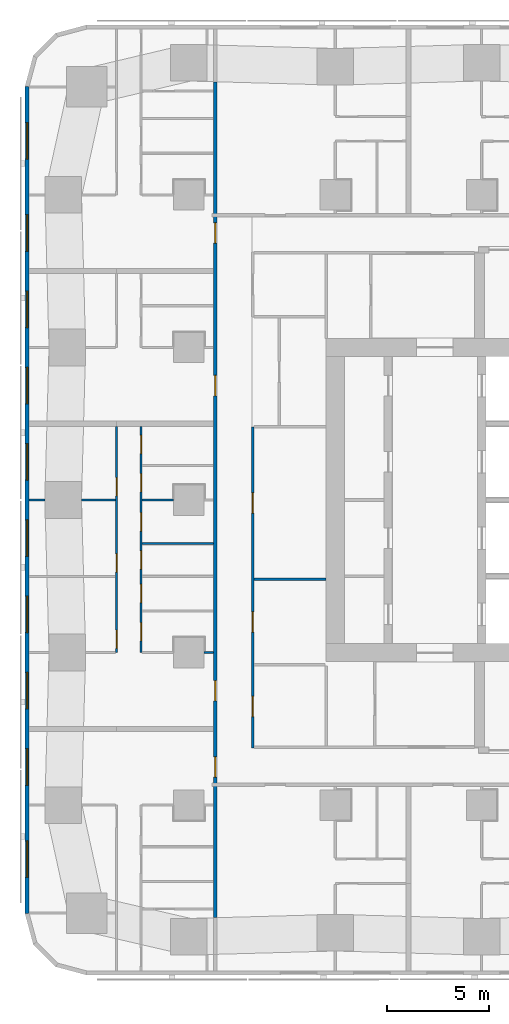
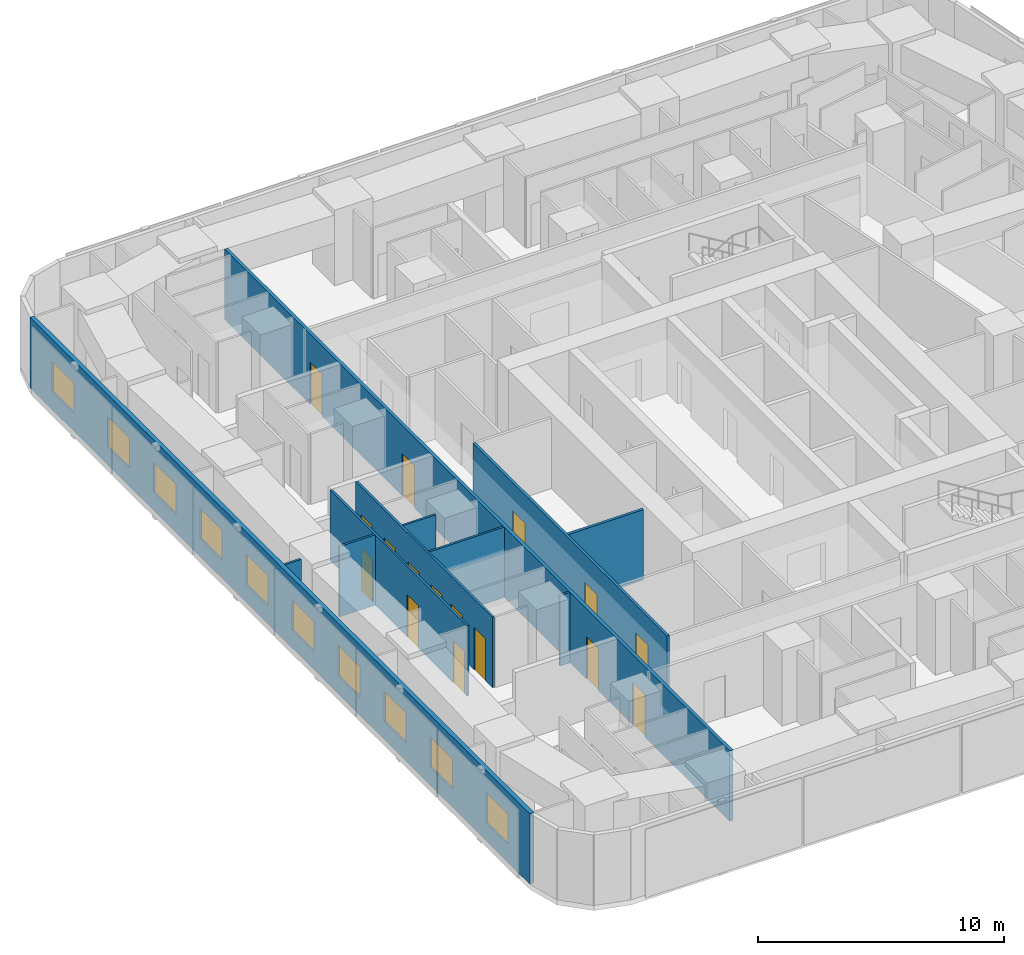
# One storey, part 5 of 15: 16 doors, 11 walls, 10 windows, 26 openings.
"""IFC4 building model written with IfcOpenShell, lengths in metres."""

from ifc_helpers import new_model, si_unit, direction, frame, frame_2d, origin, place, context, subcontext, project, spatial, rectangle, extrude, material, layer, layer_set, type_object, element, fill, save


model = new_model("IFC4")

# Units and contexts
model_context = context("Model", 3, precision=1e-05, world=origin(), true_north=direction((0.0, 1.0)))
body_context = subcontext(model_context, "Body", "Model", "MODEL_VIEW")
ifc_project = project(units=[si_unit("LENGTHUNIT", "METRE"), si_unit("AREAUNIT", "SQUARE_METRE"), si_unit("VOLUMEUNIT", "CUBIC_METRE"), si_unit("PLANEANGLEUNIT", "RADIAN"), si_unit("MASSUNIT", "GRAM", prefix="KILO")], contexts=[model_context])

# Site, building, storey
site_placement = place(None, origin())
site = spatial("IfcSite", under=ifc_project, at=site_placement, CompositionType="ELEMENT")
building_placement = place(site_placement, origin())
building = spatial("IfcBuilding", under=site, at=building_placement, Name="Sheger Commons Tower", CompositionType="ELEMENT")
storey_placement = place(building_placement, frame((0.0, 0.0, 143.300048828125)))
storey = spatial("IfcBuildingStorey", under=building, at=storey_placement, Name="L36", CompositionType="ELEMENT", Elevation=143.300048828125)

# Wall, openings, doors
ifc_material_1 = material(Name="Hollow concrete block masonry, skimmed both sides", Category="masonry")
ifc_layer_1 = layer(ifc_material_1, 0.14990234375)
ifc_layer_set_1 = layer_set([ifc_layer_1], Name="CORRIDOR WALL 150")
wall_type_1 = type_object("IfcWallType", Name="CORRIDOR WALL 150", PredefinedType="SOLIDWALL", material=ifc_layer_set_1)
wall_1_placement = place(storey_placement, frame((8.5, 1.964111328125, 0.0), z_axis=(0.0, 0.0, 1.0), x_axis=(0.0, 1.0, 0.0)))
wall_1 = element("IfcWall", 1, at=wall_1_placement, inside=storey, type_object=wall_type_1, Name="Corridor wall L36", PredefinedType="SOLIDWALL", context=body_context, shape_type="SweptSolid", body=[
    extrude(rectangle(XDim=41.096923828125, YDim=0.14990234375, at=frame_2d((20.54833984375, 0.0))), origin(), (0.0, 0.0, 1.0), 3.5),
])
opening_1_placement = place(wall_1_placement, frame((6.910888671875, 0.0, 0.0)))
opening_1 = element("IfcOpeningElement", 2, at=opening_1_placement, cuts=wall_1, Name="Opening D1", PredefinedType="OPENING", context=body_context, shape_type="SweptSolid", body=[
    extrude(rectangle(XDim=1.0, YDim=2.10009765625, at=frame_2d((0.5, 1.050048828125))), frame((0.0, 0.0849609375, 0.0), z_axis=(0.0, -1.0, 0.0), x_axis=(1.0, 0.0, 0.0)), (0.0, 0.0, 1.0), 0.169921875),
])
opening_2_placement = place(wall_1_placement, frame((10.660888671875, 0.0, 0.0)))
opening_2 = element("IfcOpeningElement", 3, at=opening_2_placement, cuts=wall_1, Name="Opening D1", PredefinedType="OPENING", context=body_context, shape_type="SweptSolid", body=[
    extrude(rectangle(XDim=1.0, YDim=2.10009765625, at=frame_2d((0.5, 1.050048828125))), frame((0.0, 0.0849609375, 0.0), z_axis=(0.0, -1.0, 0.0), x_axis=(1.0, 0.0, 0.0)), (0.0, 0.0, 1.0), 0.169921875),
])
opening_3_placement = place(wall_1_placement, frame((25.660888671875, 0.0, 0.0)))
opening_3 = element("IfcOpeningElement", 4, at=opening_3_placement, cuts=wall_1, Name="Opening D1", PredefinedType="OPENING", context=body_context, shape_type="SweptSolid", body=[
    extrude(rectangle(XDim=1.0, YDim=2.10009765625, at=frame_2d((0.5, 1.050048828125))), frame((0.0, 0.0849609375, 0.0), z_axis=(0.0, -1.0, 0.0), x_axis=(1.0, 0.0, 0.0)), (0.0, 0.0, 1.0), 0.169921875),
])
opening_4_placement = place(wall_1_placement, frame((33.160888671875, 0.0, 0.0)))
opening_4 = element("IfcOpeningElement", 5, at=opening_4_placement, cuts=wall_1, Name="Opening D1", PredefinedType="OPENING", context=body_context, shape_type="SweptSolid", body=[
    extrude(rectangle(XDim=1.0, YDim=2.10009765625, at=frame_2d((0.5, 1.050048828125))), frame((0.0, 0.0849609375, 0.0), z_axis=(0.0, -1.0, 0.0), x_axis=(1.0, 0.0, 0.0)), (0.0, 0.0, 1.0), 0.169921875),
])
ifc_material_2 = material(Name="Steel door set, fire rated", Category="steel")
door_type_1 = type_object("IfcDoorType", Name="FLAT ENTRANCE DOOR 1000x2100", OperationType="NOTDEFINED", PredefinedType="DOOR", material=ifc_material_2)
door_1_placement = place(opening_1_placement, origin())
door_1 = element("IfcDoor", 6, at=door_1_placement, inside=storey, type_object=door_type_1, Name="Flat entrance door", OperationType="SINGLE_SWING_LEFT", OverallHeight=2.10009765625, OverallWidth=1.0, PredefinedType="DOOR", context=body_context, shape_type="SweptSolid", body=[
    extrude(rectangle(XDim=1.0, YDim=2.10009765625, at=frame_2d((0.5, 1.050048828125))), frame((0.0, 0.02490234375, 0.0), z_axis=(0.0, -1.0, 0.0), x_axis=(1.0, 0.0, 0.0)), (0.0, 0.0, 1.0), 0.050048828125),
])
fill(opening_1, door_1)
door_2_placement = place(opening_2_placement, origin())
door_2 = element("IfcDoor", 7, at=door_2_placement, inside=storey, type_object=door_type_1, Name="Flat entrance door", OperationType="SINGLE_SWING_RIGHT", OverallHeight=2.10009765625, OverallWidth=1.0, PredefinedType="DOOR", context=body_context, shape_type="SweptSolid", body=[
    extrude(rectangle(XDim=1.0, YDim=2.10009765625, at=frame_2d((0.5, 1.050048828125))), frame((0.0, 0.02490234375, 0.0), z_axis=(0.0, -1.0, 0.0), x_axis=(1.0, 0.0, 0.0)), (0.0, 0.0, 1.0), 0.050048828125),
])
fill(opening_2, door_2)
door_3_placement = place(opening_3_placement, origin())
door_3 = element("IfcDoor", 8, at=door_3_placement, inside=storey, type_object=door_type_1, Name="Flat entrance door", OperationType="SINGLE_SWING_LEFT", OverallHeight=2.10009765625, OverallWidth=1.0, PredefinedType="DOOR", context=body_context, shape_type="SweptSolid", body=[
    extrude(rectangle(XDim=1.0, YDim=2.10009765625, at=frame_2d((0.5, 1.050048828125))), frame((0.0, 0.02490234375, 0.0), z_axis=(0.0, -1.0, 0.0), x_axis=(1.0, 0.0, 0.0)), (0.0, 0.0, 1.0), 0.050048828125),
])
fill(opening_3, door_3)
door_4_placement = place(opening_4_placement, origin())
door_4 = element("IfcDoor", 9, at=door_4_placement, inside=storey, type_object=door_type_1, Name="Flat entrance door", OperationType="SINGLE_SWING_RIGHT", OverallHeight=2.10009765625, OverallWidth=1.0, PredefinedType="DOOR", context=body_context, shape_type="SweptSolid", body=[
    extrude(rectangle(XDim=1.0, YDim=2.10009765625, at=frame_2d((0.5, 1.050048828125))), frame((0.0, 0.02490234375, 0.0), z_axis=(0.0, -1.0, 0.0), x_axis=(1.0, 0.0, 0.0)), (0.0, 0.0, 1.0), 0.050048828125),
])
fill(opening_4, door_4)

# Wall, openings, windows
ifc_material_3 = material(Name="Rendered concrete block masonry, dark grey", Category="masonry")
ifc_layer_2 = layer(ifc_material_3, 0.199951171875)
ifc_layer_set_2 = layer_set([ifc_layer_2], Name="FACADE WALL 200")
wall_type_2 = type_object("IfcWallType", Name="FACADE WALL 200", PredefinedType="SOLIDWALL", material=ifc_layer_set_2)
wall_2_placement = place(storey_placement, frame((-0.75, 42.8369140625, 0.0), z_axis=(0.0, 0.0, 1.0), x_axis=(0.0, -1.0, 0.0)))
wall_2 = element("IfcWall", 10, at=wall_2_placement, inside=storey, type_object=wall_type_2, Name="Facade wall L36", PredefinedType="SOLIDWALL", context=body_context, shape_type="SweptSolid", body=[
    extrude(rectangle(XDim=40.673828125, YDim=0.199951171875, at=frame_2d((20.3369140625, 0.0))), origin(), (0.0, 0.0, 1.0), 3.5),
])
opening_5_placement = place(wall_2_placement, frame((1.780029296875, 0.0, 0.89990234375)))
opening_5 = element("IfcOpeningElement", 11, at=opening_5_placement, cuts=wall_2, Name="Opening W2", PredefinedType="OPENING", context=body_context, shape_type="SweptSolid", body=[
    extrude(rectangle(XDim=1.800048828125, YDim=1.5, at=frame_2d((0.89990234375, 0.75))), frame((0.0, 0.10986328125, 0.0), z_axis=(0.0, -1.0, 0.0), x_axis=(1.0, 0.0, 0.0)), (0.0, 0.0, 1.0), 0.219970703125),
])
opening_6_placement = place(wall_2_placement, frame((6.31201171875, 0.0, 0.89990234375)))
opening_6 = element("IfcOpeningElement", 12, at=opening_6_placement, cuts=wall_2, Name="Opening W2", PredefinedType="OPENING", context=body_context, shape_type="SweptSolid", body=[
    extrude(rectangle(XDim=1.800048828125, YDim=1.5, at=frame_2d((0.89990234375, 0.75))), frame((0.0, 0.10986328125, 0.0), z_axis=(0.0, -1.0, 0.0), x_axis=(1.0, 0.0, 0.0)), (0.0, 0.0, 1.0), 0.219970703125),
])
opening_7_placement = place(wall_2_placement, frame((10.06201171875, 0.0, 0.89990234375)))
opening_7 = element("IfcOpeningElement", 13, at=opening_7_placement, cuts=wall_2, Name="Opening W2", PredefinedType="OPENING", context=body_context, shape_type="SweptSolid", body=[
    extrude(rectangle(XDim=1.800048828125, YDim=1.5, at=frame_2d((0.89990234375, 0.75))), frame((0.0, 0.10986328125, 0.0), z_axis=(0.0, -1.0, 0.0), x_axis=(1.0, 0.0, 0.0)), (0.0, 0.0, 1.0), 0.219970703125),
])
opening_8_placement = place(wall_2_placement, frame((13.81201171875, 0.0, 0.89990234375)))
opening_8 = element("IfcOpeningElement", 14, at=opening_8_placement, cuts=wall_2, Name="Opening W2", PredefinedType="OPENING", context=body_context, shape_type="SweptSolid", body=[
    extrude(rectangle(XDim=1.800048828125, YDim=1.5, at=frame_2d((0.89990234375, 0.75))), frame((0.0, 0.10986328125, 0.0), z_axis=(0.0, -1.0, 0.0), x_axis=(1.0, 0.0, 0.0)), (0.0, 0.0, 1.0), 0.219970703125),
])
opening_9_placement = place(wall_2_placement, frame((17.56201171875, 0.0, 0.89990234375)))
opening_9 = element("IfcOpeningElement", 15, at=opening_9_placement, cuts=wall_2, Name="Opening W2", PredefinedType="OPENING", context=body_context, shape_type="SweptSolid", body=[
    extrude(rectangle(XDim=1.800048828125, YDim=1.5, at=frame_2d((0.89990234375, 0.75))), frame((0.0, 0.10986328125, 0.0), z_axis=(0.0, -1.0, 0.0), x_axis=(1.0, 0.0, 0.0)), (0.0, 0.0, 1.0), 0.219970703125),
])
opening_10_placement = place(wall_2_placement, frame((21.31201171875, 0.0, 0.89990234375)))
opening_10 = element("IfcOpeningElement", 16, at=opening_10_placement, cuts=wall_2, Name="Opening W2", PredefinedType="OPENING", context=body_context, shape_type="SweptSolid", body=[
    extrude(rectangle(XDim=1.800048828125, YDim=1.5, at=frame_2d((0.89990234375, 0.75))), frame((0.0, 0.10986328125, 0.0), z_axis=(0.0, -1.0, 0.0), x_axis=(1.0, 0.0, 0.0)), (0.0, 0.0, 1.0), 0.219970703125),
])
opening_11_placement = place(wall_2_placement, frame((25.06201171875, 0.0, 0.89990234375)))
opening_11 = element("IfcOpeningElement", 17, at=opening_11_placement, cuts=wall_2, Name="Opening W2", PredefinedType="OPENING", context=body_context, shape_type="SweptSolid", body=[
    extrude(rectangle(XDim=1.800048828125, YDim=1.5, at=frame_2d((0.89990234375, 0.75))), frame((0.0, 0.10986328125, 0.0), z_axis=(0.0, -1.0, 0.0), x_axis=(1.0, 0.0, 0.0)), (0.0, 0.0, 1.0), 0.219970703125),
])
opening_12_placement = place(wall_2_placement, frame((28.81201171875, 0.0, 0.89990234375)))
opening_12 = element("IfcOpeningElement", 18, at=opening_12_placement, cuts=wall_2, Name="Opening W2", PredefinedType="OPENING", context=body_context, shape_type="SweptSolid", body=[
    extrude(rectangle(XDim=1.800048828125, YDim=1.5, at=frame_2d((0.89990234375, 0.75))), frame((0.0, 0.10986328125, 0.0), z_axis=(0.0, -1.0, 0.0), x_axis=(1.0, 0.0, 0.0)), (0.0, 0.0, 1.0), 0.219970703125),
])
opening_13_placement = place(wall_2_placement, frame((32.56201171875, 0.0, 0.89990234375)))
opening_13 = element("IfcOpeningElement", 19, at=opening_13_placement, cuts=wall_2, Name="Opening W2", PredefinedType="OPENING", context=body_context, shape_type="SweptSolid", body=[
    extrude(rectangle(XDim=1.800048828125, YDim=1.5, at=frame_2d((0.89990234375, 0.75))), frame((0.0, 0.10986328125, 0.0), z_axis=(0.0, -1.0, 0.0), x_axis=(1.0, 0.0, 0.0)), (0.0, 0.0, 1.0), 0.219970703125),
])
opening_14_placement = place(wall_2_placement, frame((37.093994140625, 0.0, 0.89990234375)))
opening_14 = element("IfcOpeningElement", 20, at=opening_14_placement, cuts=wall_2, Name="Opening W2", PredefinedType="OPENING", context=body_context, shape_type="SweptSolid", body=[
    extrude(rectangle(XDim=1.800048828125, YDim=1.5, at=frame_2d((0.89990234375, 0.75))), frame((0.0, 0.10986328125, 0.0), z_axis=(0.0, -1.0, 0.0), x_axis=(1.0, 0.0, 0.0)), (0.0, 0.0, 1.0), 0.219970703125),
])
ifc_material_4 = material(Name="Black aluminium frame, dark tinted double glazing", Category="aluminium")
window_type = type_object("IfcWindowType", Name="WINDOW W2 1800x1500", PartitioningType="SINGLE_PANEL", PredefinedType="WINDOW", material=ifc_material_4)
window_1_placement = place(opening_5_placement, origin())
window_1 = element("IfcWindow", 21, at=window_1_placement, inside=storey, type_object=window_type, Name="Window W2 1800X1500", OverallHeight=1.5, OverallWidth=1.800048828125, PartitioningType="SINGLE_PANEL", PredefinedType="WINDOW", context=body_context, shape_type="SweptSolid", body=[
    extrude(rectangle(XDim=1.800048828125, YDim=1.5, at=frame_2d((0.89990234375, 0.75))), frame((0.0, 0.030029296875, 0.0), z_axis=(0.0, -1.0, 0.0), x_axis=(1.0, 0.0, 0.0)), (0.0, 0.0, 1.0), 0.06005859375),
])
fill(opening_5, window_1)
window_2_placement = place(opening_6_placement, origin())
window_2 = element("IfcWindow", 22, at=window_2_placement, inside=storey, type_object=window_type, Name="Window W2 1800X1500", OverallHeight=1.5, OverallWidth=1.800048828125, PartitioningType="SINGLE_PANEL", PredefinedType="WINDOW", context=body_context, shape_type="SweptSolid", body=[
    extrude(rectangle(XDim=1.800048828125, YDim=1.5, at=frame_2d((0.89990234375, 0.75))), frame((0.0, 0.030029296875, 0.0), z_axis=(0.0, -1.0, 0.0), x_axis=(1.0, 0.0, 0.0)), (0.0, 0.0, 1.0), 0.06005859375),
])
fill(opening_6, window_2)
window_3_placement = place(opening_7_placement, origin())
window_3 = element("IfcWindow", 23, at=window_3_placement, inside=storey, type_object=window_type, Name="Window W2 1800X1500", OverallHeight=1.5, OverallWidth=1.800048828125, PartitioningType="SINGLE_PANEL", PredefinedType="WINDOW", context=body_context, shape_type="SweptSolid", body=[
    extrude(rectangle(XDim=1.800048828125, YDim=1.5, at=frame_2d((0.89990234375, 0.75))), frame((0.0, 0.030029296875, 0.0), z_axis=(0.0, -1.0, 0.0), x_axis=(1.0, 0.0, 0.0)), (0.0, 0.0, 1.0), 0.06005859375),
])
fill(opening_7, window_3)
window_4_placement = place(opening_8_placement, origin())
window_4 = element("IfcWindow", 24, at=window_4_placement, inside=storey, type_object=window_type, Name="Window W2 1800X1500", OverallHeight=1.5, OverallWidth=1.800048828125, PartitioningType="SINGLE_PANEL", PredefinedType="WINDOW", context=body_context, shape_type="SweptSolid", body=[
    extrude(rectangle(XDim=1.800048828125, YDim=1.5, at=frame_2d((0.89990234375, 0.75))), frame((0.0, 0.030029296875, 0.0), z_axis=(0.0, -1.0, 0.0), x_axis=(1.0, 0.0, 0.0)), (0.0, 0.0, 1.0), 0.06005859375),
])
fill(opening_8, window_4)
window_5_placement = place(opening_9_placement, origin())
window_5 = element("IfcWindow", 25, at=window_5_placement, inside=storey, type_object=window_type, Name="Window W2 1800X1500", OverallHeight=1.5, OverallWidth=1.800048828125, PartitioningType="SINGLE_PANEL", PredefinedType="WINDOW", context=body_context, shape_type="SweptSolid", body=[
    extrude(rectangle(XDim=1.800048828125, YDim=1.5, at=frame_2d((0.89990234375, 0.75))), frame((0.0, 0.030029296875, 0.0), z_axis=(0.0, -1.0, 0.0), x_axis=(1.0, 0.0, 0.0)), (0.0, 0.0, 1.0), 0.06005859375),
])
fill(opening_9, window_5)
window_6_placement = place(opening_10_placement, origin())
window_6 = element("IfcWindow", 26, at=window_6_placement, inside=storey, type_object=window_type, Name="Window W2 1800X1500", OverallHeight=1.5, OverallWidth=1.800048828125, PartitioningType="SINGLE_PANEL", PredefinedType="WINDOW", context=body_context, shape_type="SweptSolid", body=[
    extrude(rectangle(XDim=1.800048828125, YDim=1.5, at=frame_2d((0.89990234375, 0.75))), frame((0.0, 0.030029296875, 0.0), z_axis=(0.0, -1.0, 0.0), x_axis=(1.0, 0.0, 0.0)), (0.0, 0.0, 1.0), 0.06005859375),
])
fill(opening_10, window_6)
window_7_placement = place(opening_11_placement, origin())
window_7 = element("IfcWindow", 27, at=window_7_placement, inside=storey, type_object=window_type, Name="Window W2 1800X1500", OverallHeight=1.5, OverallWidth=1.800048828125, PartitioningType="SINGLE_PANEL", PredefinedType="WINDOW", context=body_context, shape_type="SweptSolid", body=[
    extrude(rectangle(XDim=1.800048828125, YDim=1.5, at=frame_2d((0.89990234375, 0.75))), frame((0.0, 0.030029296875, 0.0), z_axis=(0.0, -1.0, 0.0), x_axis=(1.0, 0.0, 0.0)), (0.0, 0.0, 1.0), 0.06005859375),
])
fill(opening_11, window_7)
window_8_placement = place(opening_12_placement, origin())
window_8 = element("IfcWindow", 28, at=window_8_placement, inside=storey, type_object=window_type, Name="Window W2 1800X1500", OverallHeight=1.5, OverallWidth=1.800048828125, PartitioningType="SINGLE_PANEL", PredefinedType="WINDOW", context=body_context, shape_type="SweptSolid", body=[
    extrude(rectangle(XDim=1.800048828125, YDim=1.5, at=frame_2d((0.89990234375, 0.75))), frame((0.0, 0.030029296875, 0.0), z_axis=(0.0, -1.0, 0.0), x_axis=(1.0, 0.0, 0.0)), (0.0, 0.0, 1.0), 0.06005859375),
])
fill(opening_12, window_8)
window_9_placement = place(opening_13_placement, origin())
window_9 = element("IfcWindow", 29, at=window_9_placement, inside=storey, type_object=window_type, Name="Window W2 1800X1500", OverallHeight=1.5, OverallWidth=1.800048828125, PartitioningType="SINGLE_PANEL", PredefinedType="WINDOW", context=body_context, shape_type="SweptSolid", body=[
    extrude(rectangle(XDim=1.800048828125, YDim=1.5, at=frame_2d((0.89990234375, 0.75))), frame((0.0, 0.030029296875, 0.0), z_axis=(0.0, -1.0, 0.0), x_axis=(1.0, 0.0, 0.0)), (0.0, 0.0, 1.0), 0.06005859375),
])
fill(opening_13, window_9)
window_10_placement = place(opening_14_placement, origin())
window_10 = element("IfcWindow", 30, at=window_10_placement, inside=storey, type_object=window_type, Name="Window W2 1800X1500", OverallHeight=1.5, OverallWidth=1.800048828125, PartitioningType="SINGLE_PANEL", PredefinedType="WINDOW", context=body_context, shape_type="SweptSolid", body=[
    extrude(rectangle(XDim=1.800048828125, YDim=1.5, at=frame_2d((0.89990234375, 0.75))), frame((0.0, 0.030029296875, 0.0), z_axis=(0.0, -1.0, 0.0), x_axis=(1.0, 0.0, 0.0)), (0.0, 0.0, 1.0), 0.06005859375),
])
fill(opening_14, window_10)

# Wall, openings, doors
ifc_material_5 = material(Name="Gypsum board on steel studs", Category="steel")
ifc_layer_3 = layer(ifc_material_5, 0.10009765625)
ifc_layer_set_3 = layer_set([ifc_layer_3], Name="PARTITION 100")
wall_type_3 = type_object("IfcWallType", Name="PARTITION 100", PredefinedType="PARTITIONING", material=ifc_layer_set_3)
wall_3_placement = place(storey_placement, frame((3.64990234375, 15.0, 0.0), z_axis=(0.0, 0.0, 1.0), x_axis=(0.0, 1.0, 0.0)))
wall_3 = element("IfcWall", 31, at=wall_3_placement, inside=storey, type_object=wall_type_3, Name="Partition L36", PredefinedType="PARTITIONING", context=body_context, shape_type="SweptSolid", body=[
    extrude(rectangle(XDim=11.125, YDim=0.10009765625, at=frame_2d((5.5625, 0.0))), origin(), (0.0, 0.0, 1.0), 3.5),
])
opening_15_placement = place(wall_3_placement, frame((0.199951171875, 0.0, 0.0)))
opening_15 = element("IfcOpeningElement", 32, at=opening_15_placement, cuts=wall_3, Name="Opening D2", PredefinedType="OPENING", context=body_context, shape_type="SweptSolid", body=[
    extrude(rectangle(XDim=0.89990234375, YDim=2.10009765625, at=frame_2d((0.449951171875, 1.050048828125))), frame((0.0, 0.06005859375, 0.0), z_axis=(0.0, -1.0, 0.0), x_axis=(1.0, 0.0, 0.0)), (0.0, 0.0, 1.0), 0.1201171875),
])
opening_16_placement = place(wall_3_placement, frame((3.949951171875, 0.0, 0.0)))
opening_16 = element("IfcOpeningElement", 33, at=opening_16_placement, cuts=wall_3, Name="Opening D2", PredefinedType="OPENING", context=body_context, shape_type="SweptSolid", body=[
    extrude(rectangle(XDim=0.89990234375, YDim=2.10009765625, at=frame_2d((0.449951171875, 1.050048828125))), frame((0.0, 0.06005859375, 0.0), z_axis=(0.0, -1.0, 0.0), x_axis=(1.0, 0.0, 0.0)), (0.0, 0.0, 1.0), 0.1201171875),
])
opening_17_placement = place(wall_3_placement, frame((7.699951171875, 0.0, 0.0)))
opening_17 = element("IfcOpeningElement", 34, at=opening_17_placement, cuts=wall_3, Name="Opening D2", PredefinedType="OPENING", context=body_context, shape_type="SweptSolid", body=[
    extrude(rectangle(XDim=0.89990234375, YDim=2.10009765625, at=frame_2d((0.449951171875, 1.050048828125))), frame((0.0, 0.06005859375, 0.0), z_axis=(0.0, -1.0, 0.0), x_axis=(1.0, 0.0, 0.0)), (0.0, 0.0, 1.0), 0.1201171875),
])
ifc_material_6 = material(Name="Timber door set", Category="wood")
door_type_2 = type_object("IfcDoorType", Name="INTERNAL DOOR 900x2100", OperationType="NOTDEFINED", PredefinedType="DOOR", material=ifc_material_6)
door_5_placement = place(opening_15_placement, origin())
door_5 = element("IfcDoor", 35, at=door_5_placement, inside=storey, type_object=door_type_2, Name="Main bedroom door", OperationType="SINGLE_SWING_LEFT", OverallHeight=2.10009765625, OverallWidth=0.89990234375, PredefinedType="DOOR", context=body_context, shape_type="SweptSolid", body=[
    extrude(rectangle(XDim=0.89990234375, YDim=2.10009765625, at=frame_2d((0.449951171875, 1.050048828125))), frame((0.0, 0.02490234375, 0.0), z_axis=(0.0, -1.0, 0.0), x_axis=(1.0, 0.0, 0.0)), (0.0, 0.0, 1.0), 0.050048828125),
])
fill(opening_15, door_5)
door_6_placement = place(opening_16_placement, origin())
door_6 = element("IfcDoor", 36, at=door_6_placement, inside=storey, type_object=door_type_2, Name="Bedroom 2 door", OperationType="SINGLE_SWING_LEFT", OverallHeight=2.10009765625, OverallWidth=0.89990234375, PredefinedType="DOOR", context=body_context, shape_type="SweptSolid", body=[
    extrude(rectangle(XDim=0.89990234375, YDim=2.10009765625, at=frame_2d((0.449951171875, 1.050048828125))), frame((0.0, 0.02490234375, 0.0), z_axis=(0.0, -1.0, 0.0), x_axis=(1.0, 0.0, 0.0)), (0.0, 0.0, 1.0), 0.050048828125),
])
fill(opening_16, door_6)
door_7_placement = place(opening_17_placement, origin())
door_7 = element("IfcDoor", 37, at=door_7_placement, inside=storey, type_object=door_type_2, Name="Bedroom 3 door", OperationType="SINGLE_SWING_LEFT", OverallHeight=2.10009765625, OverallWidth=0.89990234375, PredefinedType="DOOR", context=body_context, shape_type="SweptSolid", body=[
    extrude(rectangle(XDim=0.89990234375, YDim=2.10009765625, at=frame_2d((0.449951171875, 1.050048828125))), frame((0.0, 0.02490234375, 0.0), z_axis=(0.0, -1.0, 0.0), x_axis=(1.0, 0.0, 0.0)), (0.0, 0.0, 1.0), 0.050048828125),
])
fill(opening_17, door_7)

wall_4_placement = place(storey_placement, frame((4.85009765625, 15.0, 0.0), z_axis=(0.0, 0.0, 1.0), x_axis=(0.0, 1.0, 0.0)))
wall_4 = element("IfcWall", 38, at=wall_4_placement, inside=storey, type_object=wall_type_3, Name="Partition L36", PredefinedType="PARTITIONING", context=body_context, shape_type="SweptSolid", body=[
    extrude(rectangle(XDim=11.125, YDim=0.10009765625, at=frame_2d((5.5625, 0.0))), origin(), (0.0, 0.0, 1.0), 3.5),
])
opening_18_placement = place(wall_4_placement, frame((0.574951171875, 0.0, 0.0)))
opening_18 = element("IfcOpeningElement", 39, at=opening_18_placement, cuts=wall_4, Name="Opening D2", PredefinedType="OPENING", context=body_context, shape_type="SweptSolid", body=[
    extrude(rectangle(XDim=0.89990234375, YDim=2.10009765625, at=frame_2d((0.449951171875, 1.050048828125))), frame((0.0, 0.06005859375, 0.0), z_axis=(0.0, -1.0, 0.0), x_axis=(1.0, 0.0, 0.0)), (0.0, 0.0, 1.0), 0.1201171875),
])
opening_19_placement = place(wall_4_placement, frame((4.10009765625, 0.0, 0.0)))
opening_19 = element("IfcOpeningElement", 40, at=opening_19_placement, cuts=wall_4, Name="Opening D2", PredefinedType="OPENING", context=body_context, shape_type="SweptSolid", body=[
    extrude(rectangle(XDim=0.89990234375, YDim=2.10009765625, at=frame_2d((0.449951171875, 1.050048828125))), frame((0.0, 0.06005859375, 0.0), z_axis=(0.0, -1.0, 0.0), x_axis=(1.0, 0.0, 0.0)), (0.0, 0.0, 1.0), 0.1201171875),
])
opening_20_placement = place(wall_4_placement, frame((7.89990234375, 0.0, 0.0)))
opening_20 = element("IfcOpeningElement", 41, at=opening_20_placement, cuts=wall_4, Name="Opening D2", PredefinedType="OPENING", context=body_context, shape_type="SweptSolid", body=[
    extrude(rectangle(XDim=0.89990234375, YDim=2.10009765625, at=frame_2d((0.449951171875, 1.050048828125))), frame((0.0, 0.06005859375, 0.0), z_axis=(0.0, -1.0, 0.0), x_axis=(1.0, 0.0, 0.0)), (0.0, 0.0, 1.0), 0.1201171875),
])
opening_21_placement = place(wall_4_placement, frame((2.449951171875, 0.0, 0.0)))
opening_21 = element("IfcOpeningElement", 42, at=opening_21_placement, cuts=wall_4, Name="Opening D2", PredefinedType="OPENING", context=body_context, shape_type="SweptSolid", body=[
    extrude(rectangle(XDim=0.89990234375, YDim=2.10009765625, at=frame_2d((0.449951171875, 1.050048828125))), frame((0.0, 0.06005859375, 0.0), z_axis=(0.0, -1.0, 0.0), x_axis=(1.0, 0.0, 0.0)), (0.0, 0.0, 1.0), 0.1201171875),
])
opening_22_placement = place(wall_4_placement, frame((5.97509765625, 0.0, 0.0)))
opening_22 = element("IfcOpeningElement", 43, at=opening_22_placement, cuts=wall_4, Name="Opening D2", PredefinedType="OPENING", context=body_context, shape_type="SweptSolid", body=[
    extrude(rectangle(XDim=0.89990234375, YDim=2.10009765625, at=frame_2d((0.449951171875, 1.050048828125))), frame((0.0, 0.06005859375, 0.0), z_axis=(0.0, -1.0, 0.0), x_axis=(1.0, 0.0, 0.0)), (0.0, 0.0, 1.0), 0.1201171875),
])
opening_23_placement = place(wall_4_placement, frame((9.77490234375, 0.0, 0.0)))
opening_23 = element("IfcOpeningElement", 44, at=opening_23_placement, cuts=wall_4, Name="Opening D2", PredefinedType="OPENING", context=body_context, shape_type="SweptSolid", body=[
    extrude(rectangle(XDim=0.89990234375, YDim=2.10009765625, at=frame_2d((0.449951171875, 1.050048828125))), frame((0.0, 0.06005859375, 0.0), z_axis=(0.0, -1.0, 0.0), x_axis=(1.0, 0.0, 0.0)), (0.0, 0.0, 1.0), 0.1201171875),
])
door_8_placement = place(opening_18_placement, origin())
door_8 = element("IfcDoor", 45, at=door_8_placement, inside=storey, type_object=door_type_2, Name="Bathroom door", OperationType="SINGLE_SWING_RIGHT", OverallHeight=2.10009765625, OverallWidth=0.89990234375, PredefinedType="DOOR", context=body_context, shape_type="SweptSolid", body=[
    extrude(rectangle(XDim=0.89990234375, YDim=2.10009765625, at=frame_2d((0.449951171875, 1.050048828125))), frame((0.0, 0.02490234375, 0.0), z_axis=(0.0, -1.0, 0.0), x_axis=(1.0, 0.0, 0.0)), (0.0, 0.0, 1.0), 0.050048828125),
])
fill(opening_18, door_8)
door_9_placement = place(opening_19_placement, origin())
door_9 = element("IfcDoor", 46, at=door_9_placement, inside=storey, type_object=door_type_2, Name="Shower room door", OperationType="SINGLE_SWING_RIGHT", OverallHeight=2.10009765625, OverallWidth=0.89990234375, PredefinedType="DOOR", context=body_context, shape_type="SweptSolid", body=[
    extrude(rectangle(XDim=0.89990234375, YDim=2.10009765625, at=frame_2d((0.449951171875, 1.050048828125))), frame((0.0, 0.02490234375, 0.0), z_axis=(0.0, -1.0, 0.0), x_axis=(1.0, 0.0, 0.0)), (0.0, 0.0, 1.0), 0.050048828125),
])
fill(opening_19, door_9)
door_10_placement = place(opening_20_placement, origin())
door_10 = element("IfcDoor", 47, at=door_10_placement, inside=storey, type_object=door_type_2, Name="Laundry room door", OperationType="SINGLE_SWING_RIGHT", OverallHeight=2.10009765625, OverallWidth=0.89990234375, PredefinedType="DOOR", context=body_context, shape_type="SweptSolid", body=[
    extrude(rectangle(XDim=0.89990234375, YDim=2.10009765625, at=frame_2d((0.449951171875, 1.050048828125))), frame((0.0, 0.02490234375, 0.0), z_axis=(0.0, -1.0, 0.0), x_axis=(1.0, 0.0, 0.0)), (0.0, 0.0, 1.0), 0.050048828125),
])
fill(opening_20, door_10)
door_11_placement = place(opening_21_placement, origin())
door_11 = element("IfcDoor", 48, at=door_11_placement, inside=storey, type_object=door_type_2, Name="Store door", OperationType="SINGLE_SWING_LEFT", OverallHeight=2.10009765625, OverallWidth=0.89990234375, PredefinedType="DOOR", context=body_context, shape_type="SweptSolid", body=[
    extrude(rectangle(XDim=0.89990234375, YDim=2.10009765625, at=frame_2d((0.449951171875, 1.050048828125))), frame((0.0, 0.02490234375, 0.0), z_axis=(0.0, -1.0, 0.0), x_axis=(1.0, 0.0, 0.0)), (0.0, 0.0, 1.0), 0.050048828125),
])
fill(opening_21, door_11)
door_12_placement = place(opening_22_placement, origin())
door_12 = element("IfcDoor", 49, at=door_12_placement, inside=storey, type_object=door_type_2, Name="Store door", OperationType="SINGLE_SWING_LEFT", OverallHeight=2.10009765625, OverallWidth=0.89990234375, PredefinedType="DOOR", context=body_context, shape_type="SweptSolid", body=[
    extrude(rectangle(XDim=0.89990234375, YDim=2.10009765625, at=frame_2d((0.449951171875, 1.050048828125))), frame((0.0, 0.02490234375, 0.0), z_axis=(0.0, -1.0, 0.0), x_axis=(1.0, 0.0, 0.0)), (0.0, 0.0, 1.0), 0.050048828125),
])
fill(opening_22, door_12)
door_13_placement = place(opening_23_placement, origin())
door_13 = element("IfcDoor", 50, at=door_13_placement, inside=storey, type_object=door_type_2, Name="Store door", OperationType="SINGLE_SWING_LEFT", OverallHeight=2.10009765625, OverallWidth=0.89990234375, PredefinedType="DOOR", context=body_context, shape_type="SweptSolid", body=[
    extrude(rectangle(XDim=0.89990234375, YDim=2.10009765625, at=frame_2d((0.449951171875, 1.050048828125))), frame((0.0, 0.02490234375, 0.0), z_axis=(0.0, -1.0, 0.0), x_axis=(1.0, 0.0, 0.0)), (0.0, 0.0, 1.0), 0.050048828125),
])
fill(opening_23, door_13)

# Walls
wall_5_placement = place(storey_placement, frame((-0.64990234375, 22.5, 0.0), z_axis=(0.0, 0.0, 1.0), x_axis=(1.0, 0.0, 0.0)))
element("IfcWall", 51, at=wall_5_placement, inside=storey, type_object=wall_type_3, Name="Partition L36", PredefinedType="PARTITIONING", context=body_context, shape_type="SweptSolid", body=[
    extrude(rectangle(XDim=0.77392578125, YDim=0.10009765625, at=frame_2d((0.386962890625, 0.0))), origin(), (0.0, 0.0, 1.0), 3.5),
])
wall_6_placement = place(storey_placement, frame((1.926025390625, 22.5, 0.0), z_axis=(0.0, 0.0, 1.0), x_axis=(1.0, 0.0, 0.0)))
element("IfcWall", 52, at=wall_6_placement, inside=storey, type_object=wall_type_3, Name="Partition L36", PredefinedType="PARTITIONING", context=body_context, shape_type="SweptSolid", body=[
    extrude(rectangle(XDim=1.674072265625, YDim=0.10009765625, at=frame_2d((0.8369140625, 0.0))), origin(), (0.0, 0.0, 1.0), 3.5),
])
wall_7_placement = place(storey_placement, frame((7.950927734375, 15.0, 0.0), z_axis=(0.0, 0.0, 1.0), x_axis=(1.0, 0.0, 0.0)))
element("IfcWall", 53, at=wall_7_placement, inside=storey, type_object=wall_type_3, Name="Partition L36", PredefinedType="PARTITIONING", context=body_context, shape_type="SweptSolid", body=[
    extrude(rectangle(XDim=0.47412109375, YDim=0.10009765625, at=frame_2d((0.237060546875, 0.0))), origin(), (0.0, 0.0, 1.0), 3.5),
])
wall_8_placement = place(storey_placement, frame((4.89990234375, 22.5, 0.0), z_axis=(0.0, 0.0, 1.0), x_axis=(1.0, 0.0, 0.0)))
element("IfcWall", 54, at=wall_8_placement, inside=storey, type_object=wall_type_3, Name="Partition L36", PredefinedType="PARTITIONING", context=body_context, shape_type="SweptSolid", body=[
    extrude(rectangle(XDim=1.549072265625, YDim=0.10009765625, at=frame_2d((0.7744140625, 0.0))), origin(), (0.0, 0.0, 1.0), 3.5),
])
wall_9_placement = place(storey_placement, frame((4.89990234375, 20.35009765625, 0.0), z_axis=(0.0, 0.0, 1.0), x_axis=(1.0, 0.0, 0.0)))
element("IfcWall", 55, at=wall_9_placement, inside=storey, type_object=wall_type_3, Name="Partition L36", PredefinedType="PARTITIONING", context=body_context, shape_type="SweptSolid", body=[
    extrude(rectangle(XDim=3.525146484375, YDim=0.10009765625, at=frame_2d((1.7626953125, 0.0))), origin(), (0.0, 0.0, 1.0), 3.5),
])

# Wall, openings, doors
ifc_material_7 = material(Name="Gypsum board on steel studs, two layers each side, fire rated", Category="steel")
ifc_layer_4 = layer(ifc_material_7, 0.125)
ifc_layer_set_4 = layer_set([ifc_layer_4], Name="SERVICE WALL 125")
wall_type_4 = type_object("IfcWallType", Name="SERVICE WALL 125", PredefinedType="PARTITIONING", material=ifc_layer_set_4)
wall_10_placement = place(storey_placement, frame((10.35009765625, 10.300048828125, 0.0), z_axis=(0.0, 0.0, 1.0), x_axis=(0.0, 1.0, 0.0)))
wall_10 = element("IfcWall", 56, at=wall_10_placement, inside=storey, type_object=wall_type_4, Name="Service room wall L36", PredefinedType="PARTITIONING", context=body_context, shape_type="SweptSolid", body=[
    extrude(rectangle(XDim=15.800048828125, YDim=0.125, at=frame_2d((7.89990234375, 0.0))), origin(), (0.0, 0.0, 1.0), 3.5),
])
opening_24_placement = place(wall_10_placement, frame((1.550048828125, 0.0, 0.0)))
opening_24 = element("IfcOpeningElement", 57, at=opening_24_placement, cuts=wall_10, Name="Opening D4", PredefinedType="OPENING", context=body_context, shape_type="SweptSolid", body=[
    extrude(rectangle(XDim=1.0, YDim=2.10009765625, at=frame_2d((0.5, 1.050048828125))), frame((0.0, 0.072509765625, 0.0), z_axis=(0.0, -1.0, 0.0), x_axis=(1.0, 0.0, 0.0)), (0.0, 0.0, 1.0), 0.14501953125),
])
opening_25_placement = place(wall_10_placement, frame((5.699951171875, 0.0, 0.0)))
opening_25 = element("IfcOpeningElement", 58, at=opening_25_placement, cuts=wall_10, Name="Opening D4", PredefinedType="OPENING", context=body_context, shape_type="SweptSolid", body=[
    extrude(rectangle(XDim=1.0, YDim=2.10009765625, at=frame_2d((0.5, 1.050048828125))), frame((0.0, 0.072509765625, 0.0), z_axis=(0.0, -1.0, 0.0), x_axis=(1.0, 0.0, 0.0)), (0.0, 0.0, 1.0), 0.14501953125),
])
opening_26_placement = place(wall_10_placement, frame((11.550048828125, 0.0, 0.0)))
opening_26 = element("IfcOpeningElement", 59, at=opening_26_placement, cuts=wall_10, Name="Opening D4", PredefinedType="OPENING", context=body_context, shape_type="SweptSolid", body=[
    extrude(rectangle(XDim=1.0, YDim=2.10009765625, at=frame_2d((0.5, 1.050048828125))), frame((0.0, 0.072509765625, 0.0), z_axis=(0.0, -1.0, 0.0), x_axis=(1.0, 0.0, 0.0)), (0.0, 0.0, 1.0), 0.14501953125),
])
ifc_material_8 = material(Name="Steel door set, fire rated", Category="steel")
door_type_3 = type_object("IfcDoorType", Name="SERVICE DOOR 1000x2100", OperationType="NOTDEFINED", PredefinedType="DOOR", material=ifc_material_8)
door_14_placement = place(opening_24_placement, origin())
door_14 = element("IfcDoor", 60, at=door_14_placement, inside=storey, type_object=door_type_3, Name="Refuse chute room door", OperationType="SINGLE_SWING_RIGHT", OverallHeight=2.10009765625, OverallWidth=1.0, PredefinedType="DOOR", context=body_context, shape_type="SweptSolid", body=[
    extrude(rectangle(XDim=1.0, YDim=2.10009765625, at=frame_2d((0.5, 1.050048828125))), frame((0.0, 0.02490234375, 0.0), z_axis=(0.0, -1.0, 0.0), x_axis=(1.0, 0.0, 0.0)), (0.0, 0.0, 1.0), 0.050048828125),
])
fill(opening_24, door_14)
door_15_placement = place(opening_25_placement, origin())
door_15 = element("IfcDoor", 61, at=door_15_placement, inside=storey, type_object=door_type_3, Name="Recycling room door", OperationType="SINGLE_SWING_LEFT", OverallHeight=2.10009765625, OverallWidth=1.0, PredefinedType="DOOR", context=body_context, shape_type="SweptSolid", body=[
    extrude(rectangle(XDim=1.0, YDim=2.10009765625, at=frame_2d((0.5, 1.050048828125))), frame((0.0, 0.02490234375, 0.0), z_axis=(0.0, -1.0, 0.0), x_axis=(1.0, 0.0, 0.0)), (0.0, 0.0, 1.0), 0.050048828125),
])
fill(opening_25, door_15)
door_16_placement = place(opening_26_placement, origin())
door_16 = element("IfcDoor", 62, at=door_16_placement, inside=storey, type_object=door_type_3, Name="Bicycle and pram store door", OperationType="SINGLE_SWING_LEFT", OverallHeight=2.10009765625, OverallWidth=1.0, PredefinedType="DOOR", context=body_context, shape_type="SweptSolid", body=[
    extrude(rectangle(XDim=1.0, YDim=2.10009765625, at=frame_2d((0.5, 1.050048828125))), frame((0.0, 0.02490234375, 0.0), z_axis=(0.0, -1.0, 0.0), x_axis=(1.0, 0.0, 0.0)), (0.0, 0.0, 1.0), 0.050048828125),
])
fill(opening_26, door_16)

# Wall
wall_11_placement = place(storey_placement, frame((10.4130859375, 18.60009765625, 0.0), z_axis=(0.0, 0.0, 1.0), x_axis=(1.0, 0.0, 0.0)))
element("IfcWall", 63, at=wall_11_placement, inside=storey, type_object=wall_type_4, Name="Service room wall L36", PredefinedType="PARTITIONING", context=body_context, shape_type="SweptSolid", body=[
    extrude(rectangle(XDim=3.536865234375, YDim=0.125, at=frame_2d((1.7685546875, 0.0))), origin(), (0.0, 0.0, 1.0), 3.5),
])

save(model, "model.ifc")
